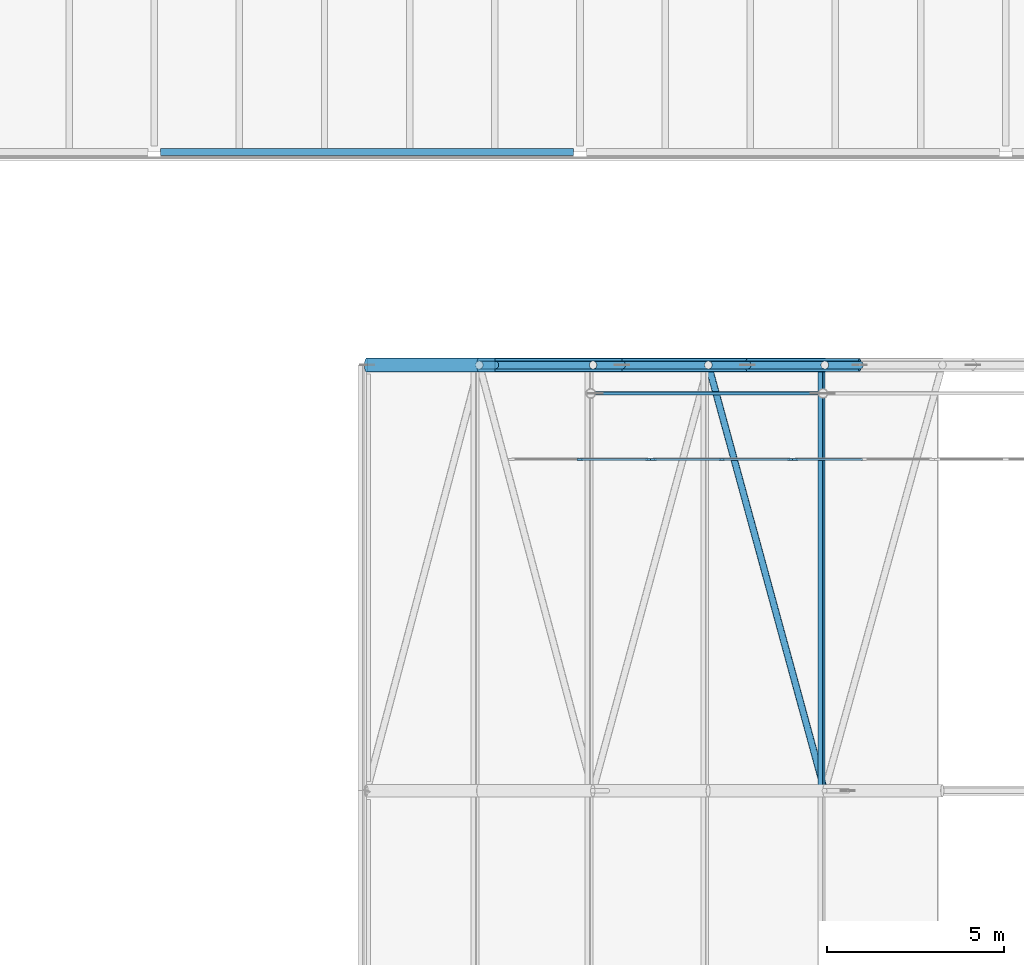
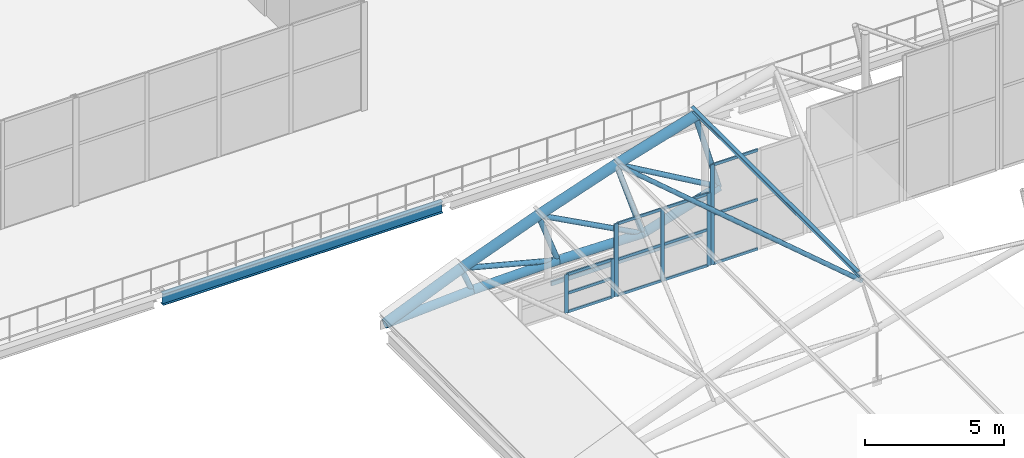
# One storey, part 166 of 321: 36 members, 1 beam, 3 elements without a shape of their own.
"""IFC4 building model written with IfcOpenShell, lengths in metres."""

from ifc_helpers import new_model, si_unit, direction, frame, origin, origin_2d, place, context, subcontext, project, spatial, rectangle, hollow_rectangle, hollow_circle, i_section, extrude, material, layer, layer_set, material_profile, profile_set, type_object, element, aggregate, save


model = new_model("IFC4")

# Units and contexts
model_context = context("Model", 3, precision=1e-05, world=origin(), true_north=direction((0.0, 1.0)))
body_context = subcontext(model_context, "Body", "Model", "MODEL_VIEW")
ifc_project = project(units=[si_unit("LENGTHUNIT", "METRE"), si_unit("AREAUNIT", "SQUARE_METRE"), si_unit("VOLUMEUNIT", "CUBIC_METRE"), si_unit("PLANEANGLEUNIT", "RADIAN"), si_unit("MASSUNIT", "GRAM", prefix="KILO")], contexts=[model_context])

# Site, building, storey
site_placement = place(None, origin())
site = spatial("IfcSite", under=ifc_project, at=site_placement, CompositionType="ELEMENT")
building_placement = place(site_placement, origin())
building = spatial("IfcBuilding", under=site, at=building_placement, Name="Ravi Spectrum Wholesale Market", CompositionType="ELEMENT")
storey_placement = place(building_placement, frame((0.0, 0.0, 10.800048828125)))
storey = spatial("IfcBuildingStorey", under=building, at=storey_placement, Name="L02", CompositionType="ELEMENT", Elevation=10.800048828125)

# Members
ifc_material_1 = material(Name="Steel S355", Category="steel")
ifc_material_profile_1 = material_profile(ifc_material_1, hollow_circle(Radius=0.096923828125, WallThickness=0.00634765625, at=origin_2d()))
ifc_profile_set_1 = profile_set([ifc_material_profile_1], Name="Steel S355")
member_type_1 = type_object("IfcMemberType", Name="CHS 193.7x6.3 brace", PredefinedType="BRACE", material=ifc_profile_set_1)
member_1_placement = place(storey_placement, frame((39.619384765625, 198.0, 3.645263671875), z_axis=(0.262551801783, -0.961477139117, 0.08141414089), x_axis=(0.964679529004, 0.263426282517, 0.0)))
element("IfcMember", 1, at=member_1_placement, inside=storey, type_object=member_type_1, Name="H1-MB-L02-1707", PredefinedType="BRACE", context=body_context, shape_type="SweptSolid", body=[
    extrude(hollow_circle(Radius=0.096923828125, WallThickness=0.00634765625, at=origin_2d()), origin(), (0.0, 0.0, 1.0), 12.480712890625),
])
ifc_material_2 = material(Name="Steel S355", Category="steel")
ifc_material_profile_2 = material_profile(ifc_material_2, hollow_circle(Radius=0.109619140625, WallThickness=0.008056640625, at=origin_2d()))
ifc_profile_set_2 = profile_set([ifc_material_profile_2], Name="Steel S355")
member_type_2 = type_object("IfcMemberType", Name="CHS 219.1x8 brace", PredefinedType="BRACE", material=ifc_profile_set_2)
member_2_placement = place(storey_placement, frame((33.163818359375, 198.0, 1.325439453125), z_axis=(0.967942387937, 0.0, -0.251172318609), x_axis=(0.0, 1.0, 0.0)))
element("IfcMember", 2, at=member_2_placement, inside=storey, type_object=member_type_2, Name="H1-MB-L02-1206", PredefinedType="BRACE", context=body_context, shape_type="SweptSolid", body=[
    extrude(hollow_circle(Radius=0.109619140625, WallThickness=0.008056640625, at=origin_2d()), origin(), (0.0, 0.0, 1.0), 4.15234375),
])
for number, where, z_axis, x_axis, name in (
    (3, (36.37158203125, 198.0, 2.541015625), (0.881933088563, 0.0, -0.471374614608), (0.0, 1.0, 0.0), "H1-MB-L02-1207"),
    (4, (39.619384765625, 198.0, 3.645263671875), (0.865160555252, 0.0, -0.501494978675), (0.0, 1.0, 0.0), "H1-MB-L02-1208"),
):
    element("IfcMember", number, at=place(storey_placement, frame(where, z_axis=z_axis, x_axis=x_axis)), inside=storey, type_object=member_type_2, Name=name, PredefinedType="BRACE", context=body_context, shape_type="SweptSolid", body=[
        extrude(hollow_circle(Radius=0.109619140625, WallThickness=0.008056640625, at=origin_2d()), origin(), (0.0, 0.0, 1.0), 4.9296875),
    ])
ifc_material_3 = material(Name="Steel S355", Category="steel")
ifc_material_profile_3 = material_profile(ifc_material_3, hollow_circle(Radius=0.109619140625, WallThickness=0.008056640625, at=origin_2d()))
ifc_profile_set_3 = profile_set([ifc_material_profile_3], Name="Steel S355")
member_type_3 = type_object("IfcMemberType", Name="CHS 219.1x8 post", PredefinedType="POST", material=ifc_profile_set_3)
member_3_placement = place(storey_placement, frame((33.163818359375, 198.0, 1.325439453125), z_axis=(0.370513497528, 0.0, -0.928827081942), x_axis=(0.0, 1.0, 0.0)))
element("IfcMember", 5, at=member_3_placement, inside=storey, type_object=member_type_3, Name="H1-MB-L02-1183", PredefinedType="POST", context=body_context, shape_type="SweptSolid", body=[
    extrude(hollow_circle(Radius=0.109619140625, WallThickness=0.008056640625, at=origin_2d()), origin(), (0.0, 0.0, 1.0), 1.199951171875),
])
member_4_placement = place(storey_placement, frame((36.37158203125, 198.0, 2.541015625), z_axis=(0.338146640483, 0.0, -0.941093432944), x_axis=(0.0, 1.0, 0.0)))
element("IfcMember", 6, at=member_4_placement, inside=storey, type_object=member_type_3, Name="H1-MB-L02-1184", PredefinedType="POST", context=body_context, shape_type="SweptSolid", body=[
    extrude(hollow_circle(Radius=0.109619140625, WallThickness=0.008056640625, at=origin_2d()), origin(), (0.0, 0.0, 1.0), 2.39990234375),
])
member_5_placement = place(storey_placement, frame((39.619384765625, 198.0, 3.645263671875), z_axis=(0.305506444581, 0.0, -0.952190008517), x_axis=(0.0, 1.0, 0.0)))
element("IfcMember", 7, at=member_5_placement, inside=storey, type_object=member_type_3, Name="H1-MB-L02-1185", PredefinedType="POST", context=body_context, shape_type="SweptSolid", body=[
    extrude(hollow_circle(Radius=0.109619140625, WallThickness=0.008056640625, at=origin_2d()), origin(), (0.0, 0.0, 1.0), 3.60009765625),
])
member_6_placement = place(storey_placement, frame((42.903076171875, 198.0, 4.63671875), z_axis=(0.272561766134, 0.0, -0.962138287172), x_axis=(0.0, 1.0, 0.0)))
element("IfcMember", 8, at=member_6_placement, inside=storey, type_object=member_type_3, Name="H1-MB-L02-1186", PredefinedType="POST", context=body_context, shape_type="SweptSolid", body=[
    extrude(hollow_circle(Radius=0.109619140625, WallThickness=0.008056640625, at=origin_2d()), origin(), (0.0, 0.0, 1.0), 3.599853515625),
])
ifc_material_4 = material(Name="Steel S355", Category="steel")
ifc_material_profile_4 = material_profile(ifc_material_4, hollow_circle(Radius=0.177734375, WallThickness=0.012451171875, at=origin_2d()))
ifc_profile_set_4 = profile_set([ifc_material_profile_4], Name="Steel S355")
member_type_4 = type_object("IfcMemberType", Name="CHS 355.6x12.5 chord", PredefinedType="CHORD", material=ifc_profile_set_4)
member_7_placement = place(storey_placement, frame((30.0, 198.0, 0.0), z_axis=(0.998295734367, 0.0, 0.058357747936), x_axis=(0.0, 1.0, 0.0)))
element("IfcMember", 9, at=member_7_placement, inside=storey, type_object=member_type_4, Name="H1-MB-L02-1159", PredefinedType="CHORD", context=body_context, shape_type="SweptSolid", body=[
    extrude(hollow_circle(Radius=0.177734375, WallThickness=0.012451171875, at=origin_2d()), origin(), (0.0, 0.0, 1.0), 3.614501953125),
])
member_8_placement = place(storey_placement, frame((33.6083984375, 198.0, 0.2109375), z_axis=(0.999799841502, 0.0, 0.020006922112), x_axis=(0.0, 1.0, 0.0)))
element("IfcMember", 10, at=member_8_placement, inside=storey, type_object=member_type_4, Name="H1-MB-L02-1160", PredefinedType="CHORD", context=body_context, shape_type="SweptSolid", body=[
    extrude(hollow_circle(Radius=0.177734375, WallThickness=0.012451171875, at=origin_2d()), origin(), (0.0, 0.0, 1.0), 3.575439453125),
])
member_9_placement = place(storey_placement, frame((37.18310546875, 198.0, 0.282470703125), z_axis=(0.999830134639, 0.0, -0.018431002896), x_axis=(0.0, 1.0, 0.0)))
element("IfcMember", 11, at=member_9_placement, inside=storey, type_object=member_type_4, Name="H1-MB-L02-1161", PredefinedType="CHORD", context=body_context, shape_type="SweptSolid", body=[
    extrude(hollow_circle(Radius=0.177734375, WallThickness=0.012451171875, at=origin_2d()), origin(), (0.0, 0.0, 1.0), 3.53662109375),
])
member_10_placement = place(storey_placement, frame((40.71923828125, 198.0, 0.21728515625), z_axis=(0.957300337613, 0.0, 0.289095250058), x_axis=(0.0, 1.0, 0.0)))
element("IfcMember", 12, at=member_10_placement, inside=storey, type_object=member_type_4, Name="H1-MB-L02-1162", PredefinedType="CHORD", context=body_context, shape_type="SweptSolid", body=[
    extrude(hollow_circle(Radius=0.177734375, WallThickness=0.012451171875, at=origin_2d()), origin(), (0.0, 0.0, 1.0), 3.30615234375),
])
ifc_material_5 = material(Name="Steel S355", Category="steel")
ifc_material_profile_5 = material_profile(ifc_material_5, hollow_circle(Radius=0.203125, WallThickness=0.01611328125, at=origin_2d()))
ifc_profile_set_5 = profile_set([ifc_material_profile_5], Name="Steel S355")
member_type_5 = type_object("IfcMemberType", Name="CHS 406.4x16 chord", PredefinedType="CHORD", material=ifc_profile_set_5)
member_11_placement = place(storey_placement, frame((30.0, 198.0, 0.0), z_axis=(0.922331882778, 0.0, 0.386398625789), x_axis=(0.0, 1.0, 0.0)))
element("IfcMember", 13, at=member_11_placement, inside=storey, type_object=member_type_5, Name="H1-MB-L02-1135", PredefinedType="CHORD", context=body_context, shape_type="SweptSolid", body=[
    extrude(hollow_circle(Radius=0.203125, WallThickness=0.01611328125, at=origin_2d()), origin(), (0.0, 0.0, 1.0), 3.43017578125),
])
for number, where, z_axis, x_axis, name in (
    (14, (33.163818359375, 198.0, 1.325439453125), (0.935109783896, 0.0, 0.354358140956), (0.0, 1.0, 0.0), "H1-MB-L02-1136"),
    (15, (36.37158203125, 198.0, 2.541015625), (0.946773178626, 0.0, 0.321901457335), (0.0, 1.0, 0.0), "H1-MB-L02-1137"),
):
    element("IfcMember", number, at=place(storey_placement, frame(where, z_axis=z_axis, x_axis=x_axis)), inside=storey, type_object=member_type_5, Name=name, PredefinedType="CHORD", context=body_context, shape_type="SweptSolid", body=[
        extrude(hollow_circle(Radius=0.203125, WallThickness=0.01611328125, at=origin_2d()), origin(), (0.0, 0.0, 1.0), 3.430419921875),
    ])
member_12_placement = place(storey_placement, frame((39.619384765625, 198.0, 3.645263671875), z_axis=(0.957315448633, 0.0, 0.289045207204), x_axis=(0.0, 1.0, 0.0)))
element("IfcMember", 16, at=member_12_placement, inside=storey, type_object=member_type_5, Name="H1-MB-L02-1138", PredefinedType="CHORD", context=body_context, shape_type="SweptSolid", body=[
    extrude(hollow_circle(Radius=0.203125, WallThickness=0.01611328125, at=origin_2d()), origin(), (0.0, 0.0, 1.0), 3.43017578125),
])
ifc_material_6 = material(Name="Steel S355", Category="steel")
ifc_material_profile_6 = material_profile(ifc_material_6, i_section(OverallWidth=0.135009765625, OverallDepth=0.27001953125, WebThickness=0.006591796875, FlangeThickness=0.01025390625, at=origin_2d()))
ifc_profile_set_6 = profile_set([ifc_material_profile_6], Name="Steel S355")
member_type_6 = type_object("IfcMemberType", Name="IPE 270 purlin", PredefinedType="PURLIN", material=ifc_profile_set_6)
member_13_placement = place(storey_placement, frame((42.81103515625, 186.0, 4.962158203125), z_axis=(0.0, 1.0, 0.0), x_axis=(-0.96215600485, 0.0, -0.272499215286)))
element("IfcMember", 17, at=member_13_placement, inside=storey, type_object=member_type_6, Name="H1-MB-L02-1563", PredefinedType="PURLIN", context=body_context, shape_type="SweptSolid", body=[
    extrude(i_section(OverallWidth=0.135009765625, OverallDepth=0.27001953125, WebThickness=0.006591796875, FlangeThickness=0.01025390625, at=origin_2d()), origin(), (0.0, 0.0, 1.0), 12.0),
])

# Beam
ifc_material_7 = material(Name="Steel S355", Category="steel")
ifc_material_profile_7 = material_profile(ifc_material_7, i_section(OverallWidth=0.199951171875, OverallDepth=0.5, WebThickness=0.01025390625, FlangeThickness=0.01611328125, at=origin_2d()))
ifc_profile_set_7 = profile_set([ifc_material_profile_7], Name="Steel S355")
beam_type = type_object("IfcBeamType", Name="IPE 500 beam", PredefinedType="BEAM", material=ifc_profile_set_7)
beam_placement = place(storey_placement, frame((24.177734375, 204.0, -0.5), z_axis=(1.0, 0.0, 0.0), x_axis=(0.0, 1.0, 0.0)))
element("IfcBeam", 18, at=beam_placement, inside=storey, type_object=beam_type, Name="OF-BM-L02-002", PredefinedType="BEAM", context=body_context, shape_type="SweptSolid", body=[
    extrude(i_section(OverallWidth=0.199951171875, OverallDepth=0.5, WebThickness=0.01025390625, FlangeThickness=0.01611328125, at=origin_2d()), origin(), (0.0, 0.0, 1.0), 11.64453125),
])

# Curtain wall, members
ifc_material_8 = material(Name="Aluminium 6063-T6", Category="aluminium")
ifc_layer = layer(ifc_material_8, 0.14990234375)
ifc_layer_set = layer_set([ifc_layer], Name="Aluminium 6063-T6")
curtain_wall_type = type_object("IfcCurtainWallType", Name="Curtain wall 150", PredefinedType="NOTDEFINED", material=ifc_layer_set)
curtain_wall_1_placement = place(storey_placement, origin())
curtain_wall_1 = element("IfcCurtainWall", 19, at=curtain_wall_1_placement, inside=storey, type_object=curtain_wall_type, Name="H1-CW-L02-001", PredefinedType="NOTDEFINED")
ifc_material_9 = material(Name="Aluminium 6063-T6", Category="aluminium")
ifc_material_profile_8 = material_profile(ifc_material_9, rectangle(XDim=0.06005859375, YDim=0.159912109375, at=origin_2d()))
ifc_profile_set_8 = profile_set([ifc_material_profile_8], Name="Aluminium 6063-T6")
member_type_7 = type_object("IfcMemberType", Name="Mullion 60 x 160", PredefinedType="MULLION", material=ifc_profile_set_8)
member_14_placement = place(storey_placement, frame((36.0, 195.340087890625, 0.0), z_axis=(0.0, 0.0, 1.0), x_axis=(0.0, 1.0, 0.0)))
member_14 = element("IfcMember", 20, at=member_14_placement, type_object=member_type_7, Name="H1-CW-L02-001 mullion 2", PredefinedType="MULLION", context=body_context, shape_type="SweptSolid", body=[
    extrude(rectangle(XDim=0.06005859375, YDim=0.159912109375, at=origin_2d()), origin(), (0.0, 0.0, 1.0), 1.699951171875),
])
member_15_placement = place(storey_placement, frame((37.929931640625, 195.340087890625, 0.0), z_axis=(0.0, 0.0, 1.0), x_axis=(0.0, 1.0, 0.0)))
member_15 = element("IfcMember", 21, at=member_15_placement, type_object=member_type_7, Name="H1-CW-L02-001 mullion 3", PredefinedType="MULLION", context=body_context, shape_type="SweptSolid", body=[
    extrude(rectangle(XDim=0.06005859375, YDim=0.159912109375, at=origin_2d()), origin(), (0.0, 0.0, 1.0), 1.699951171875),
])

curtain_wall_2_placement = place(storey_placement, origin())
curtain_wall_2 = element("IfcCurtainWall", 22, at=curtain_wall_2_placement, inside=storey, type_object=curtain_wall_type, Name="H1-CW-L02-002", PredefinedType="NOTDEFINED")
member_16_placement = place(storey_placement, frame((38.070068359375, 195.340087890625, 0.0), z_axis=(0.0, 0.0, 1.0), x_axis=(0.0, 1.0, 0.0)))
member_16 = element("IfcMember", 23, at=member_16_placement, type_object=member_type_7, Name="H1-CW-L02-002 mullion 1", PredefinedType="MULLION", context=body_context, shape_type="SweptSolid", body=[
    extrude(rectangle(XDim=0.06005859375, YDim=0.159912109375, at=origin_2d()), origin(), (0.0, 0.0, 1.0), 3.199951171875),
])
member_17_placement = place(storey_placement, frame((40.0, 195.340087890625, 0.0), z_axis=(0.0, 0.0, 1.0), x_axis=(0.0, 1.0, 0.0)))
member_17 = element("IfcMember", 24, at=member_17_placement, type_object=member_type_7, Name="H1-CW-L02-002 mullion 2", PredefinedType="MULLION", context=body_context, shape_type="SweptSolid", body=[
    extrude(rectangle(XDim=0.06005859375, YDim=0.159912109375, at=origin_2d()), origin(), (0.0, 0.0, 1.0), 3.199951171875),
])
member_18_placement = place(storey_placement, frame((41.929931640625, 195.340087890625, 0.0), z_axis=(0.0, 0.0, 1.0), x_axis=(0.0, 1.0, 0.0)))
member_18 = element("IfcMember", 25, at=member_18_placement, type_object=member_type_7, Name="H1-CW-L02-002 mullion 3", PredefinedType="MULLION", context=body_context, shape_type="SweptSolid", body=[
    extrude(rectangle(XDim=0.06005859375, YDim=0.159912109375, at=origin_2d()), origin(), (0.0, 0.0, 1.0), 3.199951171875),
])

# Curtain wall, member
curtain_wall_3_placement = place(storey_placement, origin())
curtain_wall_3 = element("IfcCurtainWall", 26, at=curtain_wall_3_placement, inside=storey, type_object=curtain_wall_type, Name="H1-CW-L02-003", PredefinedType="NOTDEFINED")
member_19_placement = place(storey_placement, frame((42.070068359375, 195.340087890625, 0.0), z_axis=(0.0, 0.0, 1.0), x_axis=(0.0, 1.0, 0.0)))
member_19 = element("IfcMember", 27, at=member_19_placement, type_object=member_type_7, Name="H1-CW-L02-003 mullion 1", PredefinedType="MULLION", context=body_context, shape_type="SweptSolid", body=[
    extrude(rectangle(XDim=0.06005859375, YDim=0.159912109375, at=origin_2d()), origin(), (0.0, 0.0, 1.0), 4.39990234375),
])

# Member
ifc_material_10 = material(Name="Steel S355", Category="steel")
ifc_material_profile_9 = material_profile(ifc_material_10, hollow_rectangle(XDim=0.10009765625, YDim=0.199951171875, WallThickness=0.00634765625, InnerFilletRadius=0.00634765625, OuterFilletRadius=0.0126953125, at=origin_2d()))
ifc_profile_set_9 = profile_set([ifc_material_profile_9], Name="Steel S355")
member_type_8 = type_object("IfcMemberType", Name="RHS 200x100x6.3 strut", PredefinedType="STRUT", material=ifc_profile_set_9)
member_20_placement = place(storey_placement, frame((36.439453125, 197.199951171875, 0.0), z_axis=(1.0, 0.0, 0.0), x_axis=(0.0, 1.0, 0.0)))
element("IfcMember", 28, at=member_20_placement, inside=storey, type_object=member_type_8, Name="H1-MB-L02-1753", PredefinedType="STRUT", context=body_context, shape_type="SweptSolid", body=[
    extrude(hollow_rectangle(XDim=0.10009765625, YDim=0.199951171875, WallThickness=0.00634765625, InnerFilletRadius=0.00634765625, OuterFilletRadius=0.0126953125, at=origin_2d()), origin(), (0.0, 0.0, 1.0), 6.27197265625),
])

ifc_material_11 = material(Name="Aluminium 6063-T6", Category="aluminium")
ifc_material_profile_10 = material_profile(ifc_material_11, rectangle(XDim=0.06005859375, YDim=0.1201171875, at=origin_2d()))
ifc_profile_set_10 = profile_set([ifc_material_profile_10], Name="Aluminium 6063-T6")
member_type_9 = type_object("IfcMemberType", Name="Transom 60 x 120", PredefinedType="USERDEFINED", material=ifc_profile_set_10)
member_21_placement = place(storey_placement, frame((36.030029296875, 195.340087890625, 0.030029296875), z_axis=(1.0, 0.0, 0.0), x_axis=(0.0, 1.0, 0.0)))
member_21 = element("IfcMember", 29, at=member_21_placement, type_object=member_type_9, Name="H1-CW-L02-001 transom 2.1", ObjectType="TRANSOM", PredefinedType="USERDEFINED", context=body_context, shape_type="SweptSolid", body=[
    extrude(rectangle(XDim=0.06005859375, YDim=0.1201171875, at=origin_2d()), origin(), (0.0, 0.0, 1.0), 1.869873046875),
])

member_22_placement = place(storey_placement, frame((36.030029296875, 195.340087890625, 0.849853515625), z_axis=(1.0, 0.0, 0.0), x_axis=(0.0, 1.0, 0.0)))
member_22 = element("IfcMember", 30, at=member_22_placement, type_object=member_type_9, Name="H1-CW-L02-001 transom 2.2", ObjectType="TRANSOM", PredefinedType="USERDEFINED", context=body_context, shape_type="SweptSolid", body=[
    extrude(rectangle(XDim=0.06005859375, YDim=0.1201171875, at=origin_2d()), origin(), (0.0, 0.0, 1.0), 1.869873046875),
])

member_23_placement = place(storey_placement, frame((36.030029296875, 195.340087890625, 1.669921875), z_axis=(1.0, 0.0, 0.0), x_axis=(0.0, 1.0, 0.0)))
member_23 = element("IfcMember", 31, at=member_23_placement, type_object=member_type_9, Name="H1-CW-L02-001 transom 2.3", ObjectType="TRANSOM", PredefinedType="USERDEFINED", context=body_context, shape_type="SweptSolid", body=[
    extrude(rectangle(XDim=0.06005859375, YDim=0.1201171875, at=origin_2d()), origin(), (0.0, 0.0, 1.0), 1.869873046875),
])

aggregate(curtain_wall_1, [member_14, member_15, member_21, member_22, member_23])

member_24_placement = place(storey_placement, frame((38.10009765625, 195.340087890625, 0.030029296875), z_axis=(1.0, 0.0, 0.0), x_axis=(0.0, 1.0, 0.0)))
member_24 = element("IfcMember", 32, at=member_24_placement, type_object=member_type_9, Name="H1-CW-L02-002 transom 1.1", ObjectType="TRANSOM", PredefinedType="USERDEFINED", context=body_context, shape_type="SweptSolid", body=[
    extrude(rectangle(XDim=0.06005859375, YDim=0.1201171875, at=origin_2d()), origin(), (0.0, 0.0, 1.0), 1.869873046875),
])

member_25_placement = place(storey_placement, frame((38.10009765625, 195.340087890625, 1.599853515625), z_axis=(1.0, 0.0, 0.0), x_axis=(0.0, 1.0, 0.0)))
member_25 = element("IfcMember", 33, at=member_25_placement, type_object=member_type_9, Name="H1-CW-L02-002 transom 1.2", ObjectType="TRANSOM", PredefinedType="USERDEFINED", context=body_context, shape_type="SweptSolid", body=[
    extrude(rectangle(XDim=0.06005859375, YDim=0.1201171875, at=origin_2d()), origin(), (0.0, 0.0, 1.0), 1.869873046875),
])

member_26_placement = place(storey_placement, frame((38.10009765625, 195.340087890625, 3.169921875), z_axis=(1.0, 0.0, 0.0), x_axis=(0.0, 1.0, 0.0)))
member_26 = element("IfcMember", 34, at=member_26_placement, type_object=member_type_9, Name="H1-CW-L02-002 transom 1.3", ObjectType="TRANSOM", PredefinedType="USERDEFINED", context=body_context, shape_type="SweptSolid", body=[
    extrude(rectangle(XDim=0.06005859375, YDim=0.1201171875, at=origin_2d()), origin(), (0.0, 0.0, 1.0), 1.869873046875),
])

member_27_placement = place(storey_placement, frame((40.030029296875, 195.340087890625, 0.030029296875), z_axis=(1.0, 0.0, 0.0), x_axis=(0.0, 1.0, 0.0)))
member_27 = element("IfcMember", 35, at=member_27_placement, type_object=member_type_9, Name="H1-CW-L02-002 transom 2.1", ObjectType="TRANSOM", PredefinedType="USERDEFINED", context=body_context, shape_type="SweptSolid", body=[
    extrude(rectangle(XDim=0.06005859375, YDim=0.1201171875, at=origin_2d()), origin(), (0.0, 0.0, 1.0), 1.869873046875),
])

member_28_placement = place(storey_placement, frame((40.030029296875, 195.340087890625, 1.599853515625), z_axis=(1.0, 0.0, 0.0), x_axis=(0.0, 1.0, 0.0)))
member_28 = element("IfcMember", 36, at=member_28_placement, type_object=member_type_9, Name="H1-CW-L02-002 transom 2.2", ObjectType="TRANSOM", PredefinedType="USERDEFINED", context=body_context, shape_type="SweptSolid", body=[
    extrude(rectangle(XDim=0.06005859375, YDim=0.1201171875, at=origin_2d()), origin(), (0.0, 0.0, 1.0), 1.869873046875),
])

member_29_placement = place(storey_placement, frame((40.030029296875, 195.340087890625, 3.169921875), z_axis=(1.0, 0.0, 0.0), x_axis=(0.0, 1.0, 0.0)))
member_29 = element("IfcMember", 37, at=member_29_placement, type_object=member_type_9, Name="H1-CW-L02-002 transom 2.3", ObjectType="TRANSOM", PredefinedType="USERDEFINED", context=body_context, shape_type="SweptSolid", body=[
    extrude(rectangle(XDim=0.06005859375, YDim=0.1201171875, at=origin_2d()), origin(), (0.0, 0.0, 1.0), 1.869873046875),
])

aggregate(curtain_wall_2, [member_16, member_17, member_18, member_24, member_25, member_26, member_27, member_28, member_29])

member_30_placement = place(storey_placement, frame((42.10009765625, 195.340087890625, 0.030029296875), z_axis=(1.0, 0.0, 0.0), x_axis=(0.0, 1.0, 0.0)))
member_30 = element("IfcMember", 38, at=member_30_placement, type_object=member_type_9, Name="H1-CW-L02-003 transom 1.1", ObjectType="TRANSOM", PredefinedType="USERDEFINED", context=body_context, shape_type="SweptSolid", body=[
    extrude(rectangle(XDim=0.06005859375, YDim=0.1201171875, at=origin_2d()), origin(), (0.0, 0.0, 1.0), 1.869873046875),
])

member_31_placement = place(storey_placement, frame((42.10009765625, 195.340087890625, 2.199951171875), z_axis=(1.0, 0.0, 0.0), x_axis=(0.0, 1.0, 0.0)))
member_31 = element("IfcMember", 39, at=member_31_placement, type_object=member_type_9, Name="H1-CW-L02-003 transom 1.2", ObjectType="TRANSOM", PredefinedType="USERDEFINED", context=body_context, shape_type="SweptSolid", body=[
    extrude(rectangle(XDim=0.06005859375, YDim=0.1201171875, at=origin_2d()), origin(), (0.0, 0.0, 1.0), 1.869873046875),
])

member_32_placement = place(storey_placement, frame((42.10009765625, 195.340087890625, 4.369873046875), z_axis=(1.0, 0.0, 0.0), x_axis=(0.0, 1.0, 0.0)))
member_32 = element("IfcMember", 40, at=member_32_placement, type_object=member_type_9, Name="H1-CW-L02-003 transom 1.3", ObjectType="TRANSOM", PredefinedType="USERDEFINED", context=body_context, shape_type="SweptSolid", body=[
    extrude(rectangle(XDim=0.06005859375, YDim=0.1201171875, at=origin_2d()), origin(), (0.0, 0.0, 1.0), 1.869873046875),
])

aggregate(curtain_wall_3, [member_19, member_30, member_31, member_32])

save(model, "model.ifc")
